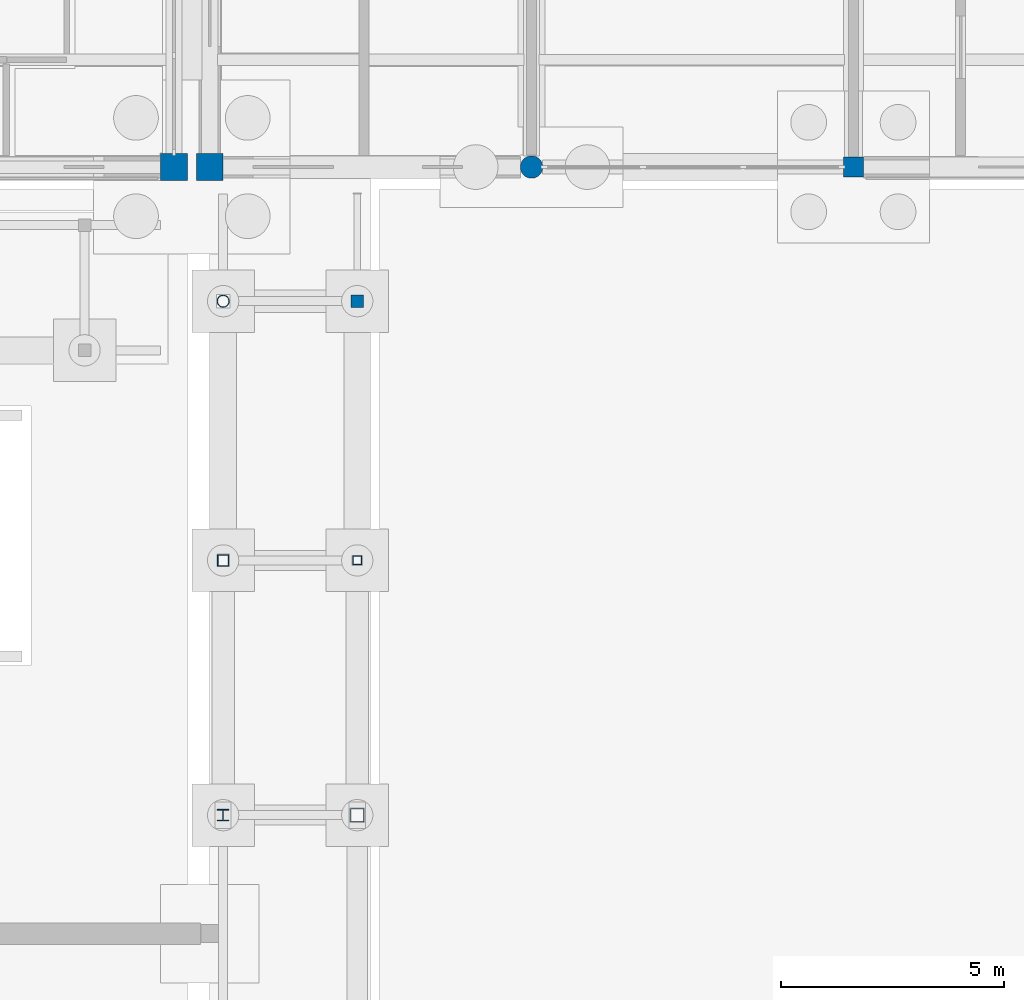
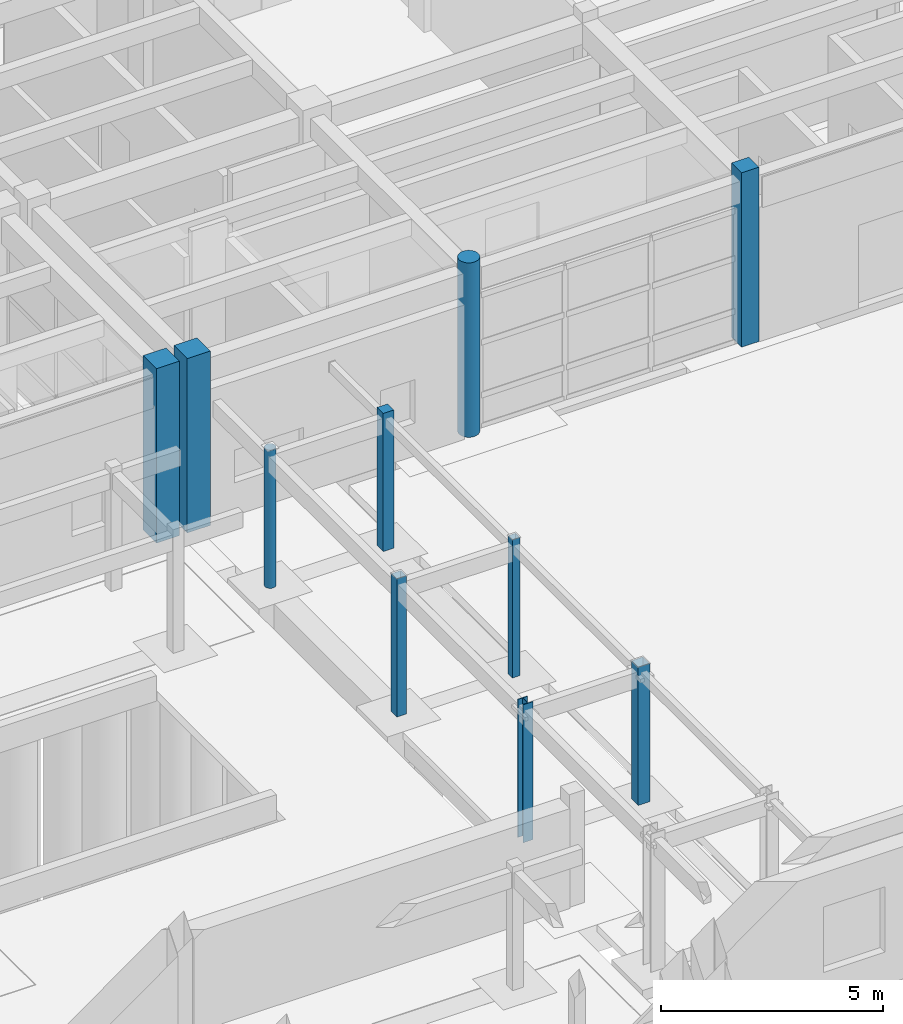
# One storey, part 21 of 143: 10 columns.
"""IFC4 building model written with IfcOpenShell, lengths in metres."""

from ifc_helpers import new_model, si_unit, direction, frame, origin, origin_2d, place, context, subcontext, project, spatial, rectangle, hollow_rectangle, circle, hollow_circle, i_section, extrude, material, material_profile, profile_set, type_object, element, save


model = new_model("IFC4")

# Units and contexts
model_context = context("Model", 3, precision=1e-05, world=origin(), true_north=direction((0.0, 1.0)))
body_context = subcontext(model_context, "Body", "Model", "MODEL_VIEW")
ifc_project = project(units=[si_unit("LENGTHUNIT", "METRE"), si_unit("AREAUNIT", "SQUARE_METRE"), si_unit("VOLUMEUNIT", "CUBIC_METRE"), si_unit("PLANEANGLEUNIT", "RADIAN"), si_unit("MASSUNIT", "GRAM", prefix="KILO")], contexts=[model_context])

# Site, building, storey
site_placement = place(None, origin())
site = spatial("IfcSite", under=ifc_project, at=site_placement, CompositionType="ELEMENT")
building_placement = place(site_placement, origin())
building = spatial("IfcBuilding", under=site, at=building_placement, Name="Steenspoor Specialist Clinic", CompositionType="ELEMENT")
storey_placement = place(building_placement, origin())
storey = spatial("IfcBuildingStorey", under=building, at=storey_placement, Name="L00", CompositionType="ELEMENT", Elevation=0.0)

# Columns
ifc_material_1 = material(Name="Glulam GL28h", Category="wood")
ifc_material_profile_1 = material_profile(ifc_material_1, rectangle(XDim=0.280029296875, YDim=0.280029296875, at=origin_2d()), Name="GL28H-280X280")
ifc_profile_set_1 = profile_set([ifc_material_profile_1], Name="Glulam GL28h")
column_type_1 = type_object("IfcColumnType", Name="COL-GL-280", PredefinedType="COLUMN", material=ifc_profile_set_1)
column_1_placement = place(storey_placement, frame((121.300048828125, 62.14990234375, 0.0), z_axis=(0.0, 0.0, 1.0), x_axis=(1.0, 0.0, 0.0)))
element("IfcColumn", 1, at=column_1_placement, inside=storey, type_object=column_type_1, Name="Walkway Colonnade Post COL-L00-0859", PredefinedType="COLUMN", context=body_context, shape_type="SweptSolid", body=[
    extrude(rectangle(XDim=0.280029296875, YDim=0.280029296875, at=origin_2d()), origin(), (0.0, 0.0, 1.0), 3.800048828125),
])
ifc_material_2 = material(Name="Concrete C40/50", Category="concrete")
ifc_material_profile_2 = material_profile(ifc_material_2, rectangle(XDim=0.449951171875, YDim=0.449951171875, at=origin_2d()), Name="RC-COL-450X450")
ifc_profile_set_2 = profile_set([ifc_material_profile_2], Name="Concrete C40/50")
column_type_2 = type_object("IfcColumnType", Name="COL-RC-450", PredefinedType="COLUMN", material=ifc_profile_set_2)
column_2_placement = place(storey_placement, frame((132.39990234375, 65.14990234375, 0.0), z_axis=(0.0, 0.0, 1.0), x_axis=(1.0, 0.0, 0.0)))
element("IfcColumn", 2, at=column_2_placement, inside=storey, type_object=column_type_2, Name="Column COL-L00-0711", PredefinedType="COLUMN", context=body_context, shape_type="SweptSolid", body=[
    extrude(rectangle(XDim=0.449951171875, YDim=0.449951171875, at=origin_2d()), origin(), (0.0, 0.0, 1.0), 4.800048828125),
])
ifc_material_profile_3 = material_profile(ifc_material_2, rectangle(XDim=0.60009765625, YDim=0.60009765625, at=origin_2d()), Name="RC-COL-600X600")
ifc_profile_set_3 = profile_set([ifc_material_profile_3], Name="Concrete C40/50")
column_type_3 = type_object("IfcColumnType", Name="COL-RC-600", PredefinedType="COLUMN", material=ifc_profile_set_3)
for number, where, z_axis, x_axis, name in (
    (3, (117.199951171875, 65.14990234375, 0.0), (0.0, 0.0, 1.0), (1.0, 0.0, 0.0), "Column COL-L00-0479"),
    (4, (118.0, 65.14990234375, 0.0), (0.0, 0.0, 1.0), (1.0, 0.0, 0.0), "Column COL-L00-0643"),
):
    element("IfcColumn", number, at=place(storey_placement, frame(where, z_axis=z_axis, x_axis=x_axis)), inside=storey, type_object=column_type_3, Name=name, PredefinedType="COLUMN", context=body_context, shape_type="SweptSolid", body=[
        extrude(rectangle(XDim=0.60009765625, YDim=0.60009765625, at=origin_2d()), origin(), (0.0, 0.0, 1.0), 4.800048828125),
    ])
ifc_material_profile_4 = material_profile(ifc_material_2, circle(Radius=0.25, at=origin_2d()), Name="RC-COL-D500")
ifc_profile_set_4 = profile_set([ifc_material_profile_4], Name="Concrete C40/50")
column_type_4 = type_object("IfcColumnType", Name="COL-RC-D500", PredefinedType="COLUMN", material=ifc_profile_set_4)
column_3_placement = place(storey_placement, frame((125.199951171875, 65.14990234375, 0.0), z_axis=(0.0, 0.0, 1.0), x_axis=(1.0, 0.0, 0.0)))
element("IfcColumn", 5, at=column_3_placement, inside=storey, type_object=column_type_4, Name="Column COL-L00-0677", PredefinedType="COLUMN", context=body_context, shape_type="SweptSolid", body=[
    extrude(circle(Radius=0.25, at=origin_2d()), origin(), (0.0, 0.0, 1.0), 4.800048828125),
])
ifc_material_3 = material(Name="Steel A500 Grade C", Category="steel")
ifc_material_profile_5 = material_profile(ifc_material_3, hollow_circle(Radius=0.136474609375, WallThickness=0.00927734375, at=origin_2d()), Name="CHS273X9.3")
ifc_profile_set_5 = profile_set([ifc_material_profile_5], Name="Steel A500 Grade C")
column_type_5 = type_object("IfcColumnType", Name="COL-ST-CHS273", PredefinedType="COLUMN", material=ifc_profile_set_5)
column_4_placement = place(storey_placement, frame((118.300048828125, 62.14990234375, 0.0), z_axis=(0.0, 0.0, 1.0), x_axis=(1.0, 0.0, 0.0)))
element("IfcColumn", 6, at=column_4_placement, inside=storey, type_object=column_type_5, Name="Walkway Colonnade Post COL-L00-0858", PredefinedType="COLUMN", context=body_context, shape_type="SweptSolid", body=[
    extrude(hollow_circle(Radius=0.136474609375, WallThickness=0.00927734375, at=origin_2d()), origin(), (0.0, 0.0, 1.0), 3.800048828125),
])
ifc_material_profile_6 = material_profile(ifc_material_3, hollow_rectangle(XDim=0.203125, YDim=0.203125, WallThickness=0.01171875, at=origin_2d()), Name="HSS203X203X12.7")
ifc_profile_set_6 = profile_set([ifc_material_profile_6], Name="Steel A500 Grade C")
column_type_6 = type_object("IfcColumnType", Name="COL-ST-HSS203", PredefinedType="COLUMN", material=ifc_profile_set_6)
column_5_placement = place(storey_placement, frame((121.300048828125, 56.35009765625, 0.0), z_axis=(0.0, 0.0, 1.0), x_axis=(1.0, 0.0, 0.0)))
element("IfcColumn", 7, at=column_5_placement, inside=storey, type_object=column_type_6, Name="Walkway Colonnade Post COL-L00-0857", PredefinedType="COLUMN", context=body_context, shape_type="SweptSolid", body=[
    extrude(hollow_rectangle(XDim=0.203125, YDim=0.203125, WallThickness=0.01171875, at=origin_2d()), origin(), (0.0, 0.0, 1.0), 3.800048828125),
])
ifc_material_profile_7 = material_profile(ifc_material_3, hollow_rectangle(XDim=0.25390625, YDim=0.25390625, WallThickness=0.01171875, at=origin_2d()), Name="HSS254X254X12.7")
ifc_profile_set_7 = profile_set([ifc_material_profile_7], Name="Steel A500 Grade C")
column_type_7 = type_object("IfcColumnType", Name="COL-ST-HSS254", PredefinedType="COLUMN", material=ifc_profile_set_7)
column_6_placement = place(storey_placement, frame((118.300048828125, 56.35009765625, 0.0), z_axis=(0.0, 0.0, 1.0), x_axis=(1.0, 0.0, 0.0)))
element("IfcColumn", 8, at=column_6_placement, inside=storey, type_object=column_type_7, Name="Walkway Colonnade Post COL-L00-0856", PredefinedType="COLUMN", context=body_context, shape_type="SweptSolid", body=[
    extrude(hollow_rectangle(XDim=0.25390625, YDim=0.25390625, WallThickness=0.01171875, at=origin_2d()), origin(), (0.0, 0.0, 1.0), 3.800048828125),
])
ifc_material_profile_8 = material_profile(ifc_material_3, hollow_rectangle(XDim=0.3046875, YDim=0.3046875, WallThickness=0.01171875, at=origin_2d()), Name="HSS305X305X12.7")
ifc_profile_set_8 = profile_set([ifc_material_profile_8], Name="Steel A500 Grade C")
column_type_8 = type_object("IfcColumnType", Name="COL-ST-HSS305", PredefinedType="COLUMN", material=ifc_profile_set_8)
column_7_placement = place(storey_placement, frame((121.300048828125, 50.64990234375, 0.0), z_axis=(0.0, 0.0, 1.0), x_axis=(1.0, 0.0, 0.0)))
element("IfcColumn", 9, at=column_7_placement, inside=storey, type_object=column_type_8, Name="Walkway Colonnade Post COL-L00-0855", PredefinedType="COLUMN", context=body_context, shape_type="SweptSolid", body=[
    extrude(hollow_rectangle(XDim=0.3046875, YDim=0.3046875, WallThickness=0.01171875, at=origin_2d()), origin(), (0.0, 0.0, 1.0), 3.800048828125),
])
ifc_material_4 = material(Name="Steel A992 Grade 50", Category="steel")
ifc_material_profile_9 = material_profile(ifc_material_4, i_section(OverallWidth=0.256103515625, OverallDepth=0.260009765625, WebThickness=0.0107421875, FlangeThickness=0.017333984375, at=origin_2d()), Name="W250X89")
ifc_profile_set_9 = profile_set([ifc_material_profile_9], Name="Steel A992 Grade 50")
column_type_9 = type_object("IfcColumnType", Name="COL-ST-W250X89", PredefinedType="COLUMN", material=ifc_profile_set_9)
column_8_placement = place(storey_placement, frame((118.300048828125, 50.64990234375, 0.0), z_axis=(0.0, 0.0, 1.0), x_axis=(1.0, 0.0, 0.0)))
element("IfcColumn", 10, at=column_8_placement, inside=storey, type_object=column_type_9, Name="Walkway Colonnade Post COL-L00-0854", PredefinedType="COLUMN", context=body_context, shape_type="SweptSolid", body=[
    extrude(i_section(OverallWidth=0.256103515625, OverallDepth=0.260009765625, WebThickness=0.0107421875, FlangeThickness=0.017333984375, at=origin_2d()), origin(), (0.0, 0.0, 1.0), 3.800048828125),
])

save(model, "model.ifc")
